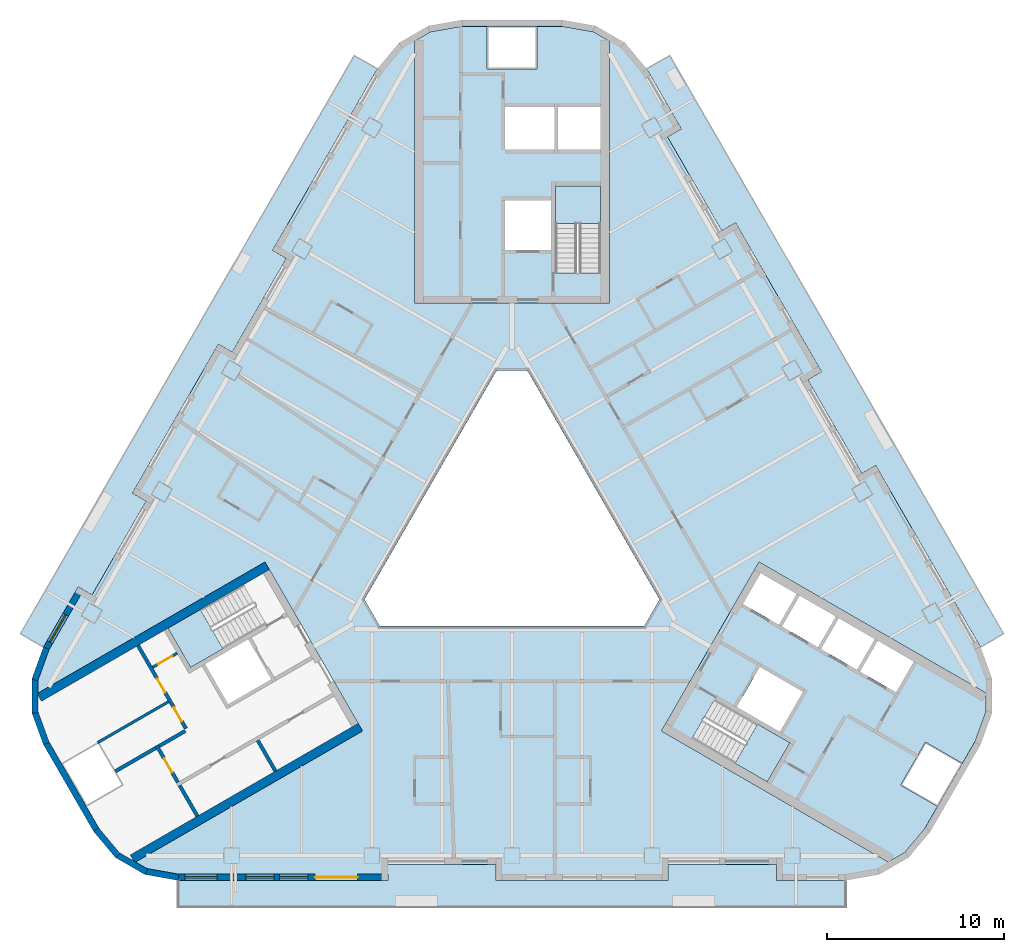
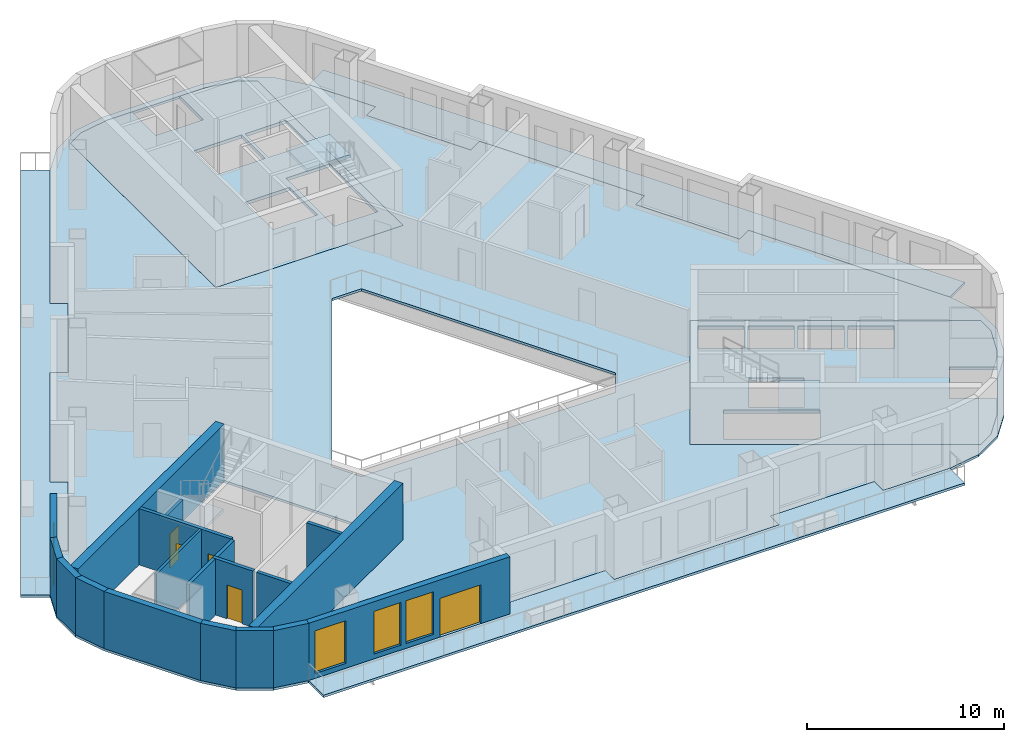
# One storey, part 2 of 13: 19 walls, 9 slabs, 5 doors, 4 windows, 9 openings, 3 elements without a shape of their own.
"""IFC4 building model written with IfcOpenShell, lengths in metres."""

from ifc_helpers import new_model, si_unit, direction, frame, frame_2d, origin, place, context, subcontext, project, spatial, polyline, rectangle, outline, extrude, material, layer, layer_set, type_object, element, fill, aggregate, save


model = new_model("IFC4")

# Units and contexts
model_context = context("Model", 3, precision=1e-05, world=origin(), true_north=direction((0.0, 1.0)))
body_context = subcontext(model_context, "Body", "Model", "MODEL_VIEW")
ifc_project = project(units=[si_unit("LENGTHUNIT", "METRE"), si_unit("AREAUNIT", "SQUARE_METRE"), si_unit("VOLUMEUNIT", "CUBIC_METRE"), si_unit("PLANEANGLEUNIT", "RADIAN"), si_unit("MASSUNIT", "GRAM", prefix="KILO")], contexts=[model_context])

# Site, building, storey
site_placement = place(None, origin())
site = spatial("IfcSite", under=ifc_project, at=site_placement, CompositionType="ELEMENT")
building_placement = place(site_placement, origin())
building = spatial("IfcBuilding", under=site, at=building_placement, Name="Apuvela Tower Hotel", CompositionType="ELEMENT")
storey_placement = place(building_placement, frame((0.0, 0.0, 94.60009765625)))
storey = spatial("IfcBuildingStorey", under=building, at=storey_placement, Name="L21", CompositionType="ELEMENT", Elevation=94.60009765625)

# Slabs
ifc_material_1 = material(Name="Concrete C50/60", Category="concrete")
ifc_layer_1 = layer(ifc_material_1, 0.199951171875)
ifc_layer_set_1 = layer_set([ifc_layer_1], Name="COR-FLOOR-200")
slab_type_1 = type_object("IfcSlabType", Name="COR-FLOOR-200", PredefinedType="FLOOR", material=ifc_layer_set_1)
slab_1_placement = place(storey_placement, frame((0.0, 0.0, -0.2001953125)))
element("IfcSlab", 1, at=slab_1_placement, inside=storey, type_object=slab_type_1, Name="Core floor N", PredefinedType="FLOOR", context=body_context, shape_type="SweptSolid", body=[
    extrude(outline(polyline([(5.5, 27.668212890625), (4.588623046875, 28.1943359375), (2.85498046875, 28.5), (1.39990234375, 28.5), (1.39990234375, 26.10009765625), (-1.39990234375, 26.10009765625), (-1.39990234375, 28.5), (-2.85498046875, 28.5), (-4.588623046875, 28.1943359375), (-5.5, 27.668212890625), (-5.5, 12.89990234375), (5.5, 12.89990234375), (5.5, 27.668212890625)]), holes=[polyline([(5.0, 14.60595703125), (2.449951171875, 14.60595703125), (2.449951171875, 19.5), (5.0, 19.5), (5.0, 14.60595703125)]), polyline([(2.199951171875, 15.89990234375), (-0.39990234375, 15.89990234375), (-0.39990234375, 18.699951171875), (2.199951171875, 18.699951171875), (2.199951171875, 15.89990234375)]), polyline([(5.0, 21.550048828125), (2.60009765625, 21.550048828125), (2.60009765625, 23.949951171875), (5.0, 23.949951171875), (5.0, 21.550048828125)]), polyline([(2.39990234375, 21.550048828125), (-0.39990234375, 21.550048828125), (-0.39990234375, 23.949951171875), (2.39990234375, 23.949951171875), (2.39990234375, 21.550048828125)])]), origin(), (0.0, 0.0, 1.0), 0.2001953125),
])
slab_2_placement = place(storey_placement, frame((0.0, 0.0, -0.2001953125)))
element("IfcSlab", 2, at=slab_2_placement, inside=storey, type_object=slab_type_1, Name="Core floor SE", PredefinedType="FLOOR", context=body_context, shape_type="SweptSolid", body=[
    extrude(outline(polyline([(21.211181640625, -18.59716796875), (22.122802734375, -18.071044921875), (23.254150390625, -16.72265625), (23.981689453125, -15.46240234375), (21.9033203125, -14.262451171875), (23.30322265625, -11.837646484375), (25.381591796875, -13.03759765625), (26.109375, -11.77734375), (26.711181640625, -10.123291015625), (26.711181640625, -9.07080078125), (13.921630859375, -1.68701171875), (8.421630859375, -11.213134765625), (21.211181640625, -18.59716796875)]), holes=[polyline([(13.01806640625, -4.052001953125), (14.01806640625, -2.31982421875), (16.044677734375, -3.489990234375), (15.044677734375, -5.221923828125), (13.01806640625, -4.052001953125)]), polyline([(17.244384765625, -6.491943359375), (15.2177734375, -5.322021484375), (16.2177734375, -3.58984375), (18.244384765625, -4.760009765625), (17.244384765625, -6.491943359375)]), polyline([(14.387451171875, -14.080078125), (10.149169921875, -11.633056640625), (11.42431640625, -9.4248046875), (15.66259765625, -11.871826171875), (14.387451171875, -14.080078125)]), polyline([(12.669921875, -9.855224609375), (13.9697265625, -7.603515625), (16.394775390625, -9.003662109375), (15.0947265625, -11.25537109375), (12.669921875, -9.855224609375)]), polyline([(19.444091796875, -7.761962890625), (17.41748046875, -6.591796875), (18.41748046875, -4.85986328125), (20.444091796875, -6.02978515625), (19.444091796875, -7.761962890625)]), polyline([(21.643798828125, -9.031982421875), (19.6171875, -7.86181640625), (20.6171875, -6.1298828125), (22.643798828125, -7.2998046875), (21.643798828125, -9.031982421875)])]), origin(), (0.0, 0.0, 1.0), 0.2001953125),
])

# Stair, slab
stair_type = type_object("IfcStairType", Name="COR-STAIR-22R", PredefinedType="HALF_TURN_STAIR", material=ifc_material_1)
stair_1_placement = place(storey_placement, origin())
stair_1 = element("IfcStair", 3, at=stair_1_placement, inside=storey, type_object=stair_type, Name="L21 Exit stair ST1", PredefinedType="HALF_TURN_STAIR")
ifc_layer_2 = layer(ifc_material_1, 0.199951171875)
ifc_layer_set_2 = layer_set([ifc_layer_2], Name="COR-LANDING-200")
slab_type_2 = type_object("IfcSlabType", Name="COR-LANDING-200", PredefinedType="LANDING", material=ifc_layer_set_2)
slab_3_placement = place(storey_placement, frame((0.0, 0.0, 1.64990234375)))
slab_3 = element("IfcSlab", 4, at=slab_3_placement, type_object=slab_type_2, Name="ST1 landing 1", PredefinedType="LANDING", context=body_context, shape_type="SweptSolid", body=[
    extrude(outline(polyline([(5.0, 17.39404296875), (5.0, 19.5), (2.449951171875, 19.5), (2.449951171875, 17.39404296875), (5.0, 17.39404296875)])), origin(), (0.0, 0.0, 1.0), 0.199951171875),
])
aggregate(stair_1, [slab_3])

stair_2_placement = place(storey_placement, origin())
stair_2 = element("IfcStair", 5, at=stair_2_placement, inside=storey, type_object=stair_type, Name="L21 Exit stair ST2", PredefinedType="HALF_TURN_STAIR")
slab_4_placement = place(storey_placement, frame((0.0, 0.0, 1.64990234375)))
slab_4 = element("IfcSlab", 6, at=slab_4_placement, type_object=slab_type_2, Name="ST2 landing 1", PredefinedType="LANDING", context=body_context, shape_type="SweptSolid", body=[
    extrude(outline(polyline([(-17.563720703125, -4.366943359375), (-19.387451171875, -5.419921875), (-18.112548828125, -7.628173828125), (-16.28857421875, -6.5751953125), (-17.563720703125, -4.366943359375)])), origin(), (0.0, 0.0, 1.0), 0.199951171875),
])
aggregate(stair_2, [slab_4])

stair_3_placement = place(storey_placement, origin())
stair_3 = element("IfcStair", 7, at=stair_3_placement, inside=storey, type_object=stair_type, Name="L21 Exit stair ST3", PredefinedType="HALF_TURN_STAIR")
slab_5_placement = place(storey_placement, frame((0.0, 0.0, 1.64990234375)))
slab_5 = element("IfcSlab", 8, at=slab_5_placement, type_object=slab_type_2, Name="ST3 landing 1", PredefinedType="LANDING", context=body_context, shape_type="SweptSolid", body=[
    extrude(outline(polyline([(12.563720703125, -13.027099609375), (14.387451171875, -14.080078125), (15.66259765625, -11.871826171875), (13.838623046875, -10.81884765625), (12.563720703125, -13.027099609375)])), origin(), (0.0, 0.0, 1.0), 0.199951171875),
])
aggregate(stair_3, [slab_5])

# Slabs
ifc_material_2 = material(Name="Concrete C40/50, fair-faced", Category="concrete")
ifc_layer_3 = layer(ifc_material_2, 0.14990234375)
ifc_layer_set_3 = layer_set([ifc_layer_3], Name="ENV-BALCONY-150")
slab_type_3 = type_object("IfcSlabType", Name="ENV-BALCONY-150", PredefinedType="FLOOR", material=ifc_layer_set_3)
slab_6_placement = place(storey_placement, frame((0.0, 0.0, -0.150146484375)))
element("IfcSlab", 9, at=slab_6_placement, inside=storey, type_object=slab_type_3, Name="Balcony slab S L21", PredefinedType="FLOOR", context=body_context, shape_type="SweptSolid", body=[
    extrude(outline(polyline([(18.82080078125, -21.135009765625), (-18.82080078125, -21.135009765625), (-18.82080078125, -19.625), (-7.0048828125, -19.625), (-7.0048828125, -18.72509765625), (-0.89501953125, -18.72509765625), (-0.89501953125, -19.625), (8.794921875, -19.625), (8.794921875, -18.72509765625), (14.905029296875, -18.72509765625), (14.905029296875, -19.625), (18.82080078125, -19.625), (18.82080078125, -21.135009765625)])), origin(), (0.0, 0.0, 1.0), 0.150146484375),
])
slab_7_placement = place(storey_placement, frame((0.0, 0.0, -0.150146484375)))
element("IfcSlab", 10, at=slab_7_placement, inside=storey, type_object=slab_type_3, Name="Balcony slab NE L21", PredefinedType="FLOOR", context=body_context, shape_type="SweptSolid", body=[
    extrude(outline(polyline([(17.443359375, 9.037353515625), (12.598388671875, 17.42919921875), (11.81884765625, 16.979248046875), (8.763916015625, 22.2705078125), (9.543212890625, 22.720703125), (7.585205078125, 26.11181640625), (8.89306640625, 26.86669921875), (27.7138671875, -5.731689453125), (26.40625, -6.48681640625), (20.498291015625, 3.74609375), (19.71875, 3.2958984375), (16.663818359375, 8.58740234375), (17.443359375, 9.037353515625)])), origin(), (0.0, 0.0, 1.0), 0.150146484375),
])
slab_8_placement = place(storey_placement, frame((0.0, 0.0, -0.150146484375)))
element("IfcSlab", 11, at=slab_8_placement, inside=storey, type_object=slab_type_3, Name="Balcony slab NW L21", PredefinedType="FLOOR", context=body_context, shape_type="SweptSolid", body=[
    extrude(outline(polyline([(-27.7138671875, -5.731689453125), (-8.89306640625, 26.86669921875), (-7.585205078125, 26.11181640625), (-13.4931640625, 15.87890625), (-12.7138671875, 15.428955078125), (-15.768798828125, 10.1376953125), (-16.548095703125, 10.587646484375), (-21.393310546875, 2.19580078125), (-20.61376953125, 1.745849609375), (-23.668701171875, -3.545654296875), (-24.4482421875, -3.095703125), (-26.40625, -6.48681640625), (-27.7138671875, -5.731689453125)])), origin(), (0.0, 0.0, 1.0), 0.150146484375),
])
ifc_material_3 = material(Name="Concrete C35/45", Category="concrete")
ifc_layer_4 = layer(ifc_material_3, 0.14990234375)
ifc_layer_set_4 = layer_set([ifc_layer_4], Name="STR-SLAB 150 floor Concrete C35/45")
slab_type_4 = type_object("IfcSlabType", Name="STR-SLAB 150 floor Concrete C35/45", PredefinedType="FLOOR", material=ifc_layer_set_4)
slab_9_placement = place(storey_placement, frame((0.0, 0.0, -0.150146484375)))
element("IfcSlab", 12, at=slab_9_placement, inside=storey, type_object=slab_type_4, Name="Floor slab S4 L21", PredefinedType="FLOOR", context=body_context, shape_type="SweptSolid", body=[
    extrude(outline(polyline([(-6.3642578125, 27.5732421875), (-4.710205078125, 28.5283203125), (-2.8291015625, 28.860107421875), (2.8291015625, 28.860107421875), (4.710205078125, 28.5283203125), (6.3642578125, 27.5732421875), (7.59228515625, 26.110107421875), (9.550048828125, 22.71875), (8.770751953125, 22.268798828125), (11.82080078125, 16.986083984375), (12.60009765625, 17.43603515625), (17.4501953125, 9.035400390625), (16.670654296875, 8.58544921875), (19.720703125, 3.302734375), (20.5, 3.752685546875), (26.407958984375, -6.47998046875), (27.061279296875, -8.27490234375), (27.061279296875, -10.18505859375), (26.407958984375, -11.97998046875), (23.5791015625, -16.8798828125), (22.351318359375, -18.34326171875), (20.697021484375, -19.29833984375), (18.81591796875, -19.6298828125), (14.89990234375, -19.6298828125), (14.89990234375, -18.72998046875), (8.800048828125, -18.72998046875), (8.800048828125, -19.6298828125), (-0.89990234375, -19.6298828125), (-0.89990234375, -18.72998046875), (-7.0, -18.72998046875), (-7.0, -19.6298828125), (-18.81591796875, -19.6298828125), (-20.697021484375, -19.29833984375), (-22.351318359375, -18.34326171875), (-23.5791015625, -16.8798828125), (-26.407958984375, -11.97998046875), (-27.061279296875, -10.18505859375), (-27.061279296875, -8.27490234375), (-26.407958984375, -6.47998046875), (-24.4501953125, -3.088623046875), (-23.670654296875, -3.538818359375), (-20.62060546875, 1.743896484375), (-21.400146484375, 2.194091796875), (-16.550048828125, 10.594482421875), (-15.7705078125, 10.14453125), (-12.720703125, 15.42724609375), (-13.5, 15.877197265625), (-7.59228515625, 26.110107421875), (-6.3642578125, 27.5732421875)]), holes=[polyline([(0.865966796875, 9.10009765625), (-0.865966796875, 9.10009765625), (-8.313720703125, -3.800048828125), (-7.44775390625, -5.300048828125), (7.44775390625, -5.300048828125), (8.313720703125, -3.800048828125), (0.865966796875, 9.10009765625)]), polyline([(-5.5, 12.89990234375), (-5.5, 27.668212890625), (-4.588623046875, 28.1943359375), (-2.85498046875, 28.5), (2.85498046875, 28.5), (4.588623046875, 28.1943359375), (5.5, 27.668212890625), (5.5, 12.89990234375), (-5.5, 12.89990234375)]), polyline([(-8.421630859375, -11.213134765625), (-21.211181640625, -18.59716796875), (-22.122802734375, -18.071044921875), (-23.254150390625, -16.72265625), (-26.109375, -11.77734375), (-26.711181640625, -10.123291015625), (-26.711181640625, -9.07080078125), (-13.921630859375, -1.68701171875), (-8.421630859375, -11.213134765625)]), polyline([(13.921630859375, -1.68701171875), (26.711181640625, -9.07080078125), (26.711181640625, -10.123291015625), (26.109375, -11.77734375), (23.254150390625, -16.72265625), (22.122802734375, -18.071044921875), (21.211181640625, -18.59716796875), (8.421630859375, -11.213134765625), (13.921630859375, -1.68701171875)])]), origin(), (0.0, 0.0, 1.0), 0.150146484375),
])

# Walls
ifc_layer_5 = layer(ifc_material_1, 0.5)
ifc_layer_set_5 = layer_set([ifc_layer_5], Name="COR-WALL-CORE-500")
wall_type_1 = type_object("IfcWallType", Name="COR-WALL-CORE-500", PredefinedType="SHEAR", material=ifc_layer_set_5)
for number, where, z_axis, x_axis, name in (
    (13, (-13.796630859375, -1.9033203125, 0.0), (0.0, 0.0, 1.0), (-0.866025009528, -0.500000682871, 0.0), "Core wall SW"),
    (14, (-8.546630859375, -10.99658203125, 0.0), (0.0, 0.0, 1.0), (-0.866025009528, -0.500000682871, 0.0), "Core wall SW"),
):
    element("IfcWall", number, at=place(storey_placement, frame(where, z_axis=z_axis, x_axis=x_axis)), inside=storey, type_object=wall_type_1, Name=name, PredefinedType="SHEAR", context=body_context, shape_type="SweptSolid", body=[
        extrude(rectangle(XDim=14.8369140625, YDim=0.5, at=frame_2d((7.41845703125, 0.0))), origin(), (0.0, 0.0, 1.0), 3.5),
    ])

# Wall, opening, door
ifc_material_4 = material(Name="Blockwork 150 mm plastered", Category="masonry")
ifc_layer_6 = layer(ifc_material_4, 0.14990234375)
ifc_layer_set_6 = layer_set([ifc_layer_6], Name="COR-WALL-PART-150")
wall_type_2 = type_object("IfcWallType", Name="COR-WALL-PART-150", PredefinedType="PARTITIONING", material=ifc_layer_set_6)
wall_1_placement = place(storey_placement, frame((-18.866455078125, -6.822265625, 0.0), z_axis=(0.0, 0.0, 1.0), x_axis=(-0.866028054938, -0.499995408039, 0.0)))
wall_1 = element("IfcWall", 15, at=wall_1_placement, inside=storey, type_object=wall_type_2, Name="Partition SW", PredefinedType="PARTITIONING", context=body_context, shape_type="SweptSolid", body=[
    extrude(rectangle(XDim=1.60009765625, YDim=0.14990234375, at=frame_2d((0.800048828125, 0.0))), origin(), (0.0, 0.0, 1.0), 3.5),
])
opening_1_placement = place(wall_1_placement, frame((0.35009765625, 0.0, 0.0)))
opening_1 = element("IfcOpeningElement", 16, at=opening_1_placement, cuts=wall_1, Name="Opening W-RD", PredefinedType="OPENING", context=body_context, shape_type="SweptSolid", body=[
    extrude(rectangle(XDim=0.89990234375, YDim=2.10009765625, at=frame_2d((0.449951171875, 1.050048828125))), frame((0.0, 0.0849609375, 0.0), z_axis=(0.0, -1.0, 0.0), x_axis=(1.0, 0.0, 0.0)), (0.0, 0.0, 1.0), 0.169921875),
])
ifc_material_5 = material(Name="Steel access door, powder coated", Category="steel")
door_type_1 = type_object("IfcDoorType", Name="COR-RD-900", OperationType="NOTDEFINED", PredefinedType="DOOR", material=ifc_material_5)
door_1_placement = place(opening_1_placement, frame((0.89990234375, 0.0, 0.0), z_axis=(0.0, 0.0, 1.0), x_axis=(-1.0, 0.0, 0.0)))
door_1 = element("IfcDoor", 17, at=door_1_placement, inside=storey, type_object=door_type_1, Name="Riser door W-RD", OperationType="SINGLE_SWING_RIGHT", OverallHeight=2.10009765625, OverallWidth=0.89990234375, PredefinedType="DOOR", context=body_context, shape_type="SweptSolid", body=[
    extrude(rectangle(XDim=0.89990234375, YDim=2.10009765625, at=frame_2d((0.449951171875, 1.050048828125))), frame((0.0, 0.02490234375, 0.0), z_axis=(0.0, -1.0, 0.0), x_axis=(1.0, 0.0, 0.0)), (0.0, 0.0, 1.0), 0.050048828125),
])
fill(opening_1, door_1)

# Wall
wall_2_placement = place(storey_placement, frame((-19.36279296875, -9.5625, 0.0), z_axis=(0.0, 0.0, 1.0), x_axis=(-0.86601185002, -0.500023475074, 0.0)))
element("IfcWall", 18, at=wall_2_placement, inside=storey, type_object=wall_type_2, Name="Partition SW", PredefinedType="PARTITIONING", context=body_context, shape_type="SweptSolid", body=[
    extrude(rectangle(XDim=4.610107421875, YDim=0.14990234375, at=frame_2d((2.30517578125, 0.0))), origin(), (0.0, 0.0, 1.0), 3.5),
])

# Wall, openings, doors
ifc_material_6 = material(Name="Blockwork 200 mm plastered", Category="masonry")
ifc_layer_7 = layer(ifc_material_6, 0.199951171875)
ifc_layer_set_7 = layer_set([ifc_layer_7], Name="COR-WALL-PART-200")
wall_type_3 = type_object("IfcWallType", Name="COR-WALL-PART-200", PredefinedType="PARTITIONING", material=ifc_layer_set_7)
wall_3_placement = place(storey_placement, frame((-21.076171875, -6.39501953125, 0.0), z_axis=(0.0, 0.0, 1.0), x_axis=(0.50001468107, -0.866016927499, 0.0)))
wall_3 = element("IfcWall", 19, at=wall_3_placement, inside=storey, type_object=wall_type_3, Name="Partition SW", PredefinedType="PARTITIONING", context=body_context, shape_type="SweptSolid", body=[
    extrude(rectangle(XDim=5.399658203125, YDim=0.199951171875, at=frame_2d((2.69970703125, 0.0))), origin(), (0.0, 0.0, 1.0), 3.5),
])
opening_2_placement = place(wall_3_placement, frame((2.16259765625, 0.0, 0.0)))
opening_2 = element("IfcOpeningElement", 20, at=opening_2_placement, cuts=wall_3, Name="Opening W-RS1", PredefinedType="OPENING", context=body_context, shape_type="SweptSolid", body=[
    extrude(rectangle(XDim=0.89990234375, YDim=2.10009765625, at=frame_2d((0.449951171875, 1.050048828125))), frame((0.0, 0.10986328125, 0.0), z_axis=(0.0, -1.0, 0.0), x_axis=(1.0, 0.0, 0.0)), (0.0, 0.0, 1.0), 0.219970703125),
])
opening_3_placement = place(wall_3_placement, frame((4.03759765625, 0.0, 0.0)))
opening_3 = element("IfcOpeningElement", 21, at=opening_3_placement, cuts=wall_3, Name="Opening W-RS2", PredefinedType="OPENING", context=body_context, shape_type="SweptSolid", body=[
    extrude(rectangle(XDim=0.89990234375, YDim=2.10009765625, at=frame_2d((0.449951171875, 1.050048828125))), frame((0.0, 0.10986328125, 0.0), z_axis=(0.0, -1.0, 0.0), x_axis=(1.0, 0.0, 0.0)), (0.0, 0.0, 1.0), 0.219970703125),
])
ifc_material_7 = material(Name="Steel fire door, powder coated", Category="steel")
door_type_2 = type_object("IfcDoorType", Name="COR-DR-900", OperationType="NOTDEFINED", PredefinedType="DOOR", material=ifc_material_7)
door_2_placement = place(opening_2_placement, frame((0.89990234375, 0.0, 0.0), z_axis=(0.0, 0.0, 1.0), x_axis=(-1.0, 0.0, 0.0)))
door_2 = element("IfcDoor", 22, at=door_2_placement, inside=storey, type_object=door_type_2, Name="Store door W-RS1", OperationType="SINGLE_SWING_LEFT", OverallHeight=2.10009765625, OverallWidth=0.89990234375, PredefinedType="DOOR", context=body_context, shape_type="SweptSolid", body=[
    extrude(rectangle(XDim=0.89990234375, YDim=2.10009765625, at=frame_2d((0.449951171875, 1.050048828125))), frame((0.0, 0.02490234375, 0.0), z_axis=(0.0, -1.0, 0.0), x_axis=(1.0, 0.0, 0.0)), (0.0, 0.0, 1.0), 0.050048828125),
])
fill(opening_2, door_2)
door_3_placement = place(opening_3_placement, frame((0.89990234375, 0.0, 0.0), z_axis=(0.0, 0.0, 1.0), x_axis=(-1.0, 0.0, 0.0)))
door_3 = element("IfcDoor", 23, at=door_3_placement, inside=storey, type_object=door_type_2, Name="Store door W-RS2", OperationType="SINGLE_SWING_LEFT", OverallHeight=2.10009765625, OverallWidth=0.89990234375, PredefinedType="DOOR", context=body_context, shape_type="SweptSolid", body=[
    extrude(rectangle(XDim=0.89990234375, YDim=2.10009765625, at=frame_2d((0.449951171875, 1.050048828125))), frame((0.0, 0.02490234375, 0.0), z_axis=(0.0, -1.0, 0.0), x_axis=(1.0, 0.0, 0.0)), (0.0, 0.0, 1.0), 0.050048828125),
])
fill(opening_3, door_3)

# Wall, opening, door
ifc_layer_8 = layer(ifc_material_1, 0.199951171875)
ifc_layer_set_8 = layer_set([ifc_layer_8], Name="COR-WALL-SHAFT-200")
wall_type_4 = type_object("IfcWallType", Name="COR-WALL-SHAFT-200", PredefinedType="SHEAR", material=ifc_layer_set_8)
wall_4_placement = place(storey_placement, frame((-20.030517578125, -12.0263671875, 0.0), z_axis=(0.0, 0.0, 1.0), x_axis=(0.500033551112, -0.866006032174, 0.0)))
wall_4 = element("IfcWall", 24, at=wall_4_placement, inside=storey, type_object=wall_type_4, Name="Shaft wall SW", PredefinedType="SHEAR", context=body_context, shape_type="SweptSolid", body=[
    extrude(rectangle(XDim=2.400146484375, YDim=0.199951171875, at=frame_2d((1.2001953125, 0.0))), origin(), (0.0, 0.0, 1.0), 3.5),
])
opening_4_placement = place(wall_4_placement, frame((0.85009765625, 0.0, 0.0)))
opening_4 = element("IfcOpeningElement", 25, at=opening_4_placement, cuts=wall_4, Name="Opening W-REP", PredefinedType="OPENING", context=body_context, shape_type="SweptSolid", body=[
    extrude(rectangle(XDim=0.89990234375, YDim=2.10009765625, at=frame_2d((0.449951171875, 1.050048828125))), frame((0.0, 0.10986328125, 0.0), z_axis=(0.0, -1.0, 0.0), x_axis=(1.0, 0.0, 0.0)), (0.0, 0.0, 1.0), 0.219970703125),
])
door_4_placement = place(opening_4_placement, frame((0.89990234375, 0.0, 0.0), z_axis=(0.0, 0.0, 1.0), x_axis=(-1.0, 0.0, 0.0)))
door_4 = element("IfcDoor", 26, at=door_4_placement, inside=storey, type_object=door_type_2, Name="Store door W-REP", OperationType="SINGLE_SWING_LEFT", OverallHeight=2.10009765625, OverallWidth=0.89990234375, PredefinedType="DOOR", context=body_context, shape_type="SweptSolid", body=[
    extrude(rectangle(XDim=0.89990234375, YDim=2.10009765625, at=frame_2d((0.449951171875, 1.050048828125))), frame((0.0, 0.02490234375, 0.0), z_axis=(0.0, -1.0, 0.0), x_axis=(1.0, 0.0, 0.0)), (0.0, 0.0, 1.0), 0.050048828125),
])
fill(opening_4, door_4)

# Walls
wall_5_placement = place(storey_placement, frame((-18.412841796875, -11.2080078125, 0.0), z_axis=(0.0, 0.0, 1.0), x_axis=(-0.866038183914, -0.499977863513, 0.0)))
element("IfcWall", 27, at=wall_5_placement, inside=storey, type_object=wall_type_4, Name="Shaft wall SW", PredefinedType="SHEAR", context=body_context, shape_type="SweptSolid", body=[
    extrude(rectangle(XDim=1.7099609375, YDim=0.199951171875, at=frame_2d((0.85498046875, 0.0))), origin(), (0.0, 0.0, 1.0), 3.5),
])
for number, where, z_axis, x_axis, name in (
    (28, (-14.330810546875, -11.738037109375, 0.0), (0.0, 0.0, 1.0), (0.499972520799, -0.866041268327, 0.0), "Shaft wall SW"),
    (29, (-18.73046875, -14.278076171875, 0.0), (0.0, 0.0, 1.0), (0.50002537861, -0.866010750942, 0.0), "Shaft wall SW"),
):
    element("IfcWall", number, at=place(storey_placement, frame(where, z_axis=z_axis, x_axis=x_axis)), inside=storey, type_object=wall_type_4, Name=name, PredefinedType="SHEAR", context=body_context, shape_type="SweptSolid", body=[
        extrude(rectangle(XDim=2.0, YDim=0.199951171875, at=frame_2d((1.0, 0.0))), origin(), (0.0, 0.0, 1.0), 3.5),
    ])
wall_6_placement = place(storey_placement, frame((-20.06689453125, -12.1630859375, 0.0), z_axis=(0.0, 0.0, 1.0), x_axis=(-0.866060851709, -0.499938597367, 0.0)))
element("IfcWall", 30, at=wall_6_placement, inside=storey, type_object=wall_type_4, Name="Shaft wall SW", PredefinedType="SHEAR", context=body_context, shape_type="SweptSolid", body=[
    extrude(rectangle(XDim=2.639892578125, YDim=0.199951171875, at=frame_2d((1.31982421875, 0.0))), origin(), (0.0, 0.0, 1.0), 3.5),
])

# Wall, opening, window
ifc_material_8 = material(Name="Concrete C40/50, dark pigmented precast panel", Category="concrete")
ifc_layer_9 = layer(ifc_material_8, 0.35009765625)
ifc_layer_set_9 = layer_set([ifc_layer_9], Name="ENV-WALL-350")
wall_type_5 = type_object("IfcWallType", Name="ENV-WALL-350", PredefinedType="SOLIDWALL", material=ifc_layer_set_9)
wall_7_placement = place(storey_placement, frame((-24.298583984375, -3.17626953125, 0.0), z_axis=(0.0, 0.0, 1.0), x_axis=(-0.500028278809, -0.866009076391, 0.0)))
wall_7 = element("IfcWall", 31, at=wall_7_placement, inside=storey, type_object=wall_type_5, Name="External wall L21-09", PredefinedType="SOLIDWALL", context=body_context, shape_type="SweptSolid", body=[
    extrude(rectangle(XDim=3.915771484375, YDim=0.35009765625, at=frame_2d((1.9580078125, 0.0))), origin(), (0.0, 0.0, 1.0), 3.5498046875),
])
opening_5_placement = place(wall_7_placement, frame((1.699951171875, 0.0, 0.300048828125)))
opening_5 = element("IfcOpeningElement", 32, at=opening_5_placement, cuts=wall_7, Name="Opening WN18", PredefinedType="OPENING", context=body_context, shape_type="SweptSolid", body=[
    extrude(rectangle(XDim=1.800048828125, YDim=2.64990234375, at=frame_2d((0.89990234375, 1.324951171875))), frame((0.0, 0.18505859375, 0.0), z_axis=(0.0, -1.0, 0.0), x_axis=(1.0, 0.0, 0.0)), (0.0, 0.0, 1.0), 0.3701171875),
])
ifc_material_9 = material(Name="Glass, dark tinted laminated insulated glazing unit", Category="glass")
window_type_1 = type_object("IfcWindowType", Name="ENV-WIN-1800x2650", PartitioningType="SINGLE_PANEL", PredefinedType="WINDOW", material=ifc_material_9)
window_1_placement = place(opening_5_placement, origin())
window_1 = element("IfcWindow", 33, at=window_1_placement, inside=storey, type_object=window_type_1, Name="Window WN18", OverallHeight=2.64990234375, OverallWidth=1.800048828125, PartitioningType="SINGLE_PANEL", PredefinedType="WINDOW", context=body_context, shape_type="SweptSolid", body=[
    extrude(rectangle(XDim=1.800048828125, YDim=2.64990234375, at=frame_2d((0.89990234375, 1.324951171875))), frame((0.0, 0.030029296875, 0.0), z_axis=(0.0, -1.0, 0.0), x_axis=(1.0, 0.0, 0.0)), (0.0, 0.0, 1.0), 0.06005859375),
])
fill(opening_5, window_1)

# Walls
for number, where, z_axis, x_axis, name in (
    (34, (-26.24365234375, -6.539794921875, 0.0), (0.0, 0.0, 1.0), (-0.342030395486, -0.939688889242, 0.0), "External wall L21-10"),
    (35, (-26.88623046875, -8.27490234375, 0.0), (0.0, 0.0, 1.0), (0.0, -1.0, 0.0), "External wall L21-11"),
    (36, (-26.89697265625, -10.125244140625, 0.0), (0.0, 0.0, 1.0), (0.342030395486, -0.939688889242, 0.0), "External wall L21-12"),
):
    element("IfcWall", number, at=place(storey_placement, frame(where, z_axis=z_axis, x_axis=x_axis)), inside=storey, type_object=wall_type_5, Name=name, PredefinedType="SOLIDWALL", context=body_context, shape_type="SweptSolid", body=[
        extrude(rectangle(XDim=1.91015625, YDim=0.35009765625, at=frame_2d((0.955078125, 0.0))), origin(), (0.0, 0.0, 1.0), 3.5498046875),
    ])
wall_8_placement = place(storey_placement, frame((-26.256591796875, -11.892578125, 0.0), z_axis=(0.0, 0.0, 1.0), x_axis=(0.500018773155, -0.866014564827, 0.0)))
element("IfcWall", 37, at=wall_8_placement, inside=storey, type_object=wall_type_5, Name="External wall L21-13", PredefinedType="SOLIDWALL", context=body_context, shape_type="SweptSolid", body=[
    extrude(rectangle(XDim=5.657958984375, YDim=0.35009765625, at=frame_2d((2.8291015625, 0.0))), origin(), (0.0, 0.0, 1.0), 3.5498046875),
])
for number, where, z_axis, x_axis, name in (
    (38, (-23.44482421875, -16.767578125, 0.0), (0.0, 0.0, 1.0), (0.642733291068, -0.76609001857, 0.0), "External wall L21-14"),
    (39, (-22.263671875, -18.191650390625, 0.0), (0.0, 0.0, 1.0), (0.866000389056, -0.500043324278, 0.0), "External wall L21-15"),
):
    element("IfcWall", number, at=place(storey_placement, frame(where, z_axis=z_axis, x_axis=x_axis)), inside=storey, type_object=wall_type_5, Name=name, PredefinedType="SOLIDWALL", context=body_context, shape_type="SweptSolid", body=[
        extrude(rectangle(XDim=1.909912109375, YDim=0.35009765625, at=frame_2d((0.955078125, 0.0))), origin(), (0.0, 0.0, 1.0), 3.5498046875),
    ])
wall_9_placement = place(storey_placement, frame((-20.66650390625, -19.1259765625, 0.0), z_axis=(0.0, 0.0, 1.0), x_axis=(0.984798995425, -0.173697837091, 0.0)))
element("IfcWall", 40, at=wall_9_placement, inside=storey, type_object=wall_type_5, Name="External wall L21-16", PredefinedType="SOLIDWALL", context=body_context, shape_type="SweptSolid", body=[
    extrude(rectangle(XDim=1.91015625, YDim=0.35009765625, at=frame_2d((0.955078125, 0.0))), origin(), (0.0, 0.0, 1.0), 3.5498046875),
])

# Wall, openings, door, windows
wall_10_placement = place(storey_placement, frame((-18.81591796875, -19.455078125, 0.0), z_axis=(0.0, 0.0, 1.0), x_axis=(1.0, 0.0, 0.0)))
wall_10 = element("IfcWall", 41, at=wall_10_placement, inside=storey, type_object=wall_type_5, Name="External wall L21-17", PredefinedType="SOLIDWALL", context=body_context, shape_type="SweptSolid", body=[
    extrude(rectangle(XDim=11.81591796875, YDim=0.35009765625, at=frame_2d((5.907958984375, 0.0))), origin(), (0.0, 0.0, 1.0), 3.5498046875),
])
opening_6_placement = place(wall_10_placement, frame((0.380615234375, 0.0, 0.300048828125)))
opening_6 = element("IfcOpeningElement", 42, at=opening_6_placement, cuts=wall_10, Name="Opening WN18", PredefinedType="OPENING", context=body_context, shape_type="SweptSolid", body=[
    extrude(rectangle(XDim=1.800048828125, YDim=2.64990234375, at=frame_2d((0.89990234375, 1.324951171875))), frame((0.0, 0.18505859375, 0.0), z_axis=(0.0, -1.0, 0.0), x_axis=(1.0, 0.0, 0.0)), (0.0, 0.0, 1.0), 0.3701171875),
])
opening_7_placement = place(wall_10_placement, frame((7.71630859375, 0.0, 0.0)))
opening_7 = element("IfcOpeningElement", 43, at=opening_7_placement, cuts=wall_10, Name="Opening BD24", PredefinedType="OPENING", context=body_context, shape_type="SweptSolid", body=[
    extrude(rectangle(XDim=2.39990234375, YDim=2.39990234375, at=frame_2d((1.199951171875, 1.199951171875))), frame((0.0, 0.18505859375, 0.0), z_axis=(0.0, -1.0, 0.0), x_axis=(1.0, 0.0, 0.0)), (0.0, 0.0, 1.0), 0.3701171875),
])
opening_8_placement = place(wall_10_placement, frame((3.816162109375, 0.0, 0.300048828125)))
opening_8 = element("IfcOpeningElement", 44, at=opening_8_placement, cuts=wall_10, Name="Opening WN16", PredefinedType="OPENING", context=body_context, shape_type="SweptSolid", body=[
    extrude(rectangle(XDim=1.60009765625, YDim=2.64990234375, at=frame_2d((0.800048828125, 1.324951171875))), frame((0.0, 0.18505859375, 0.0), z_axis=(0.0, -1.0, 0.0), x_axis=(1.0, 0.0, 0.0)), (0.0, 0.0, 1.0), 0.3701171875),
])
opening_9_placement = place(wall_10_placement, frame((5.71630859375, 0.0, 0.300048828125)))
opening_9 = element("IfcOpeningElement", 45, at=opening_9_placement, cuts=wall_10, Name="Opening WN16", PredefinedType="OPENING", context=body_context, shape_type="SweptSolid", body=[
    extrude(rectangle(XDim=1.60009765625, YDim=2.64990234375, at=frame_2d((0.800048828125, 1.324951171875))), frame((0.0, 0.18505859375, 0.0), z_axis=(0.0, -1.0, 0.0), x_axis=(1.0, 0.0, 0.0)), (0.0, 0.0, 1.0), 0.3701171875),
])
ifc_material_10 = material(Name="Aluminium 6063-T6, dark bronze anodised frame with dark tinted laminated glass", Category="aluminium")
door_type_3 = type_object("IfcDoorType", Name="ENV-DOOR-BALCONY-2400x2400", OperationType="SLIDING_TO_LEFT", PredefinedType="DOOR", material=ifc_material_10)
door_5_placement = place(opening_7_placement, frame((2.39990234375, 0.0, 0.0), z_axis=(0.0, 0.0, 1.0), x_axis=(-1.0, 0.0, 0.0)))
door_5 = element("IfcDoor", 46, at=door_5_placement, inside=storey, type_object=door_type_3, Name="Balcony door BD24", OperationType="SLIDING_TO_LEFT", OverallHeight=2.39990234375, OverallWidth=2.39990234375, PredefinedType="DOOR", context=body_context, shape_type="SweptSolid", body=[
    extrude(rectangle(XDim=2.39990234375, YDim=2.39990234375, at=frame_2d((1.199951171875, 1.199951171875))), frame((0.0, 0.02490234375, 0.0), z_axis=(0.0, -1.0, 0.0), x_axis=(1.0, 0.0, 0.0)), (0.0, 0.0, 1.0), 0.050048828125),
])
fill(opening_7, door_5)
window_type_2 = type_object("IfcWindowType", Name="ENV-WIN-1600x2650", PartitioningType="SINGLE_PANEL", PredefinedType="WINDOW", material=ifc_material_9)
window_2_placement = place(opening_8_placement, origin())
window_2 = element("IfcWindow", 47, at=window_2_placement, inside=storey, type_object=window_type_2, Name="Window WN16", OverallHeight=2.64990234375, OverallWidth=1.60009765625, PartitioningType="SINGLE_PANEL", PredefinedType="WINDOW", context=body_context, shape_type="SweptSolid", body=[
    extrude(rectangle(XDim=1.60009765625, YDim=2.64990234375, at=frame_2d((0.800048828125, 1.324951171875))), frame((0.0, 0.030029296875, 0.0), z_axis=(0.0, -1.0, 0.0), x_axis=(1.0, 0.0, 0.0)), (0.0, 0.0, 1.0), 0.06005859375),
])
fill(opening_8, window_2)
window_3_placement = place(opening_9_placement, origin())
window_3 = element("IfcWindow", 48, at=window_3_placement, inside=storey, type_object=window_type_2, Name="Window WN16", OverallHeight=2.64990234375, OverallWidth=1.60009765625, PartitioningType="SINGLE_PANEL", PredefinedType="WINDOW", context=body_context, shape_type="SweptSolid", body=[
    extrude(rectangle(XDim=1.60009765625, YDim=2.64990234375, at=frame_2d((0.800048828125, 1.324951171875))), frame((0.0, 0.030029296875, 0.0), z_axis=(0.0, -1.0, 0.0), x_axis=(1.0, 0.0, 0.0)), (0.0, 0.0, 1.0), 0.06005859375),
])
fill(opening_9, window_3)
window_4_placement = place(opening_6_placement, origin())
window_4 = element("IfcWindow", 49, at=window_4_placement, inside=storey, type_object=window_type_1, Name="Window WN18", OverallHeight=2.64990234375, OverallWidth=1.800048828125, PartitioningType="SINGLE_PANEL", PredefinedType="WINDOW", context=body_context, shape_type="SweptSolid", body=[
    extrude(rectangle(XDim=1.800048828125, YDim=2.64990234375, at=frame_2d((0.89990234375, 1.324951171875))), frame((0.0, 0.030029296875, 0.0), z_axis=(0.0, -1.0, 0.0), x_axis=(1.0, 0.0, 0.0)), (0.0, 0.0, 1.0), 0.06005859375),
])
fill(opening_6, window_4)

save(model, "model.ifc")
